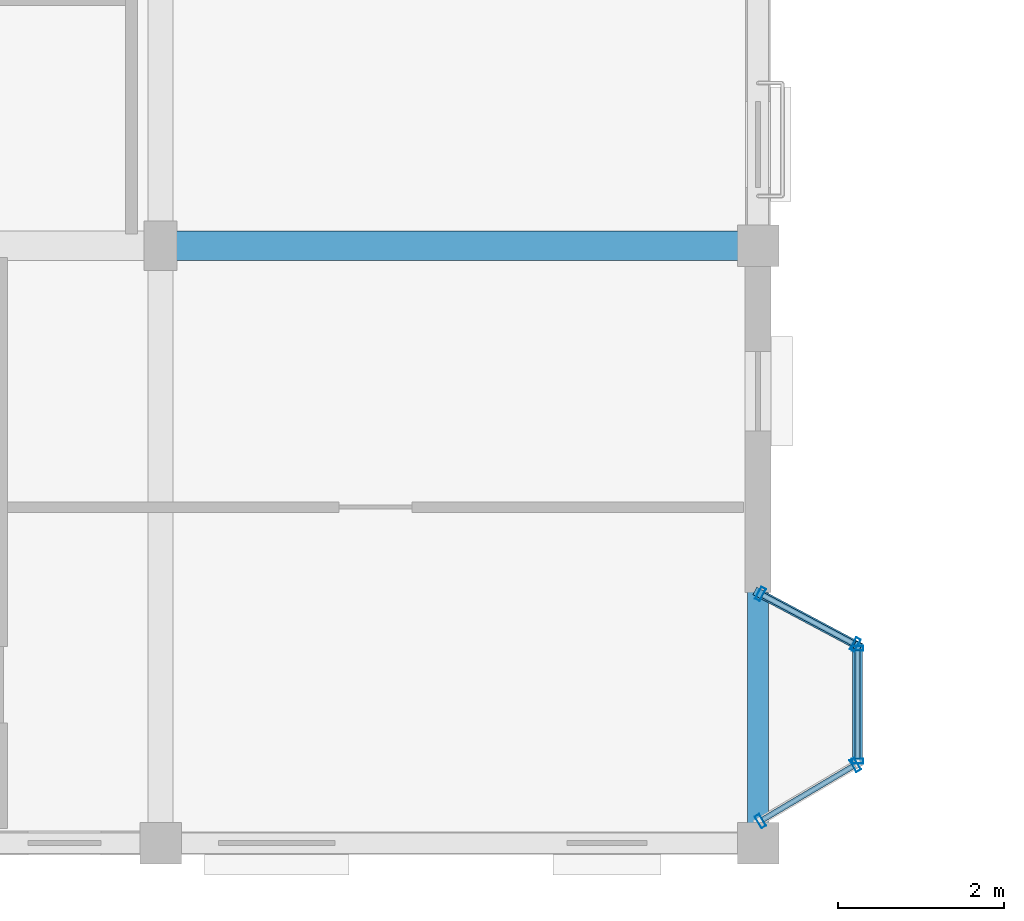
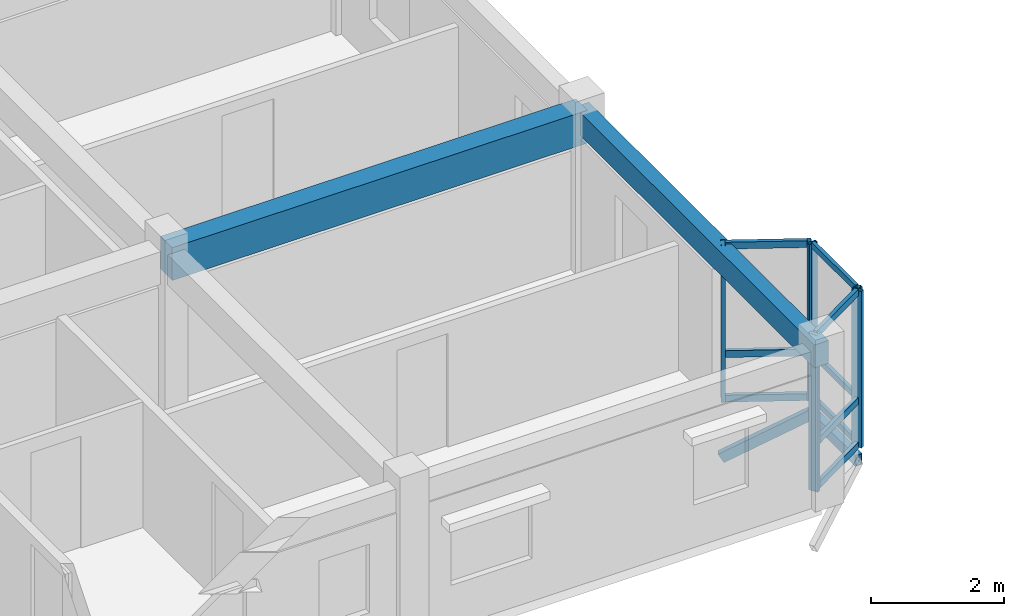
# One storey, part 7 of 64: 17 members, 2 beams, 3 elements without a shape of their own.
"""IFC4 building model written with IfcOpenShell, lengths in metres."""

from ifc_helpers import new_model, si_unit, direction, frame, origin, origin_2d, place, context, subcontext, project, spatial, rectangle, hollow_rectangle, extrude, material, layer, layer_set, material_profile, profile_set, type_object, element, aggregate, save


model = new_model("IFC4")

# Units and contexts
model_context = context("Model", 3, precision=1e-05, world=origin(), true_north=direction((0.0, 1.0)))
body_context = subcontext(model_context, "Body", "Model", "MODEL_VIEW")
ifc_project = project(units=[si_unit("LENGTHUNIT", "METRE"), si_unit("AREAUNIT", "SQUARE_METRE"), si_unit("VOLUMEUNIT", "CUBIC_METRE"), si_unit("PLANEANGLEUNIT", "RADIAN"), si_unit("MASSUNIT", "GRAM", prefix="KILO"), si_unit("THERMODYNAMICTEMPERATUREUNIT", "KELVIN"), si_unit("POWERUNIT", "WATT")], contexts=[model_context])

# Site, building, storey
site_placement = place(None, origin())
site = spatial("IfcSite", under=ifc_project, at=site_placement, CompositionType="ELEMENT")
building_placement = place(site_placement, origin())
building = spatial("IfcBuilding", under=site, at=building_placement, Name="Tavuni Mirador Residences", CompositionType="ELEMENT")
storey_placement = place(building_placement, frame((0.0, 0.0, 26.550048828125)))
storey = spatial("IfcBuildingStorey", under=building, at=storey_placement, Name="L08", CompositionType="ELEMENT", Elevation=26.550048828125)

# Beams
ifc_material_1 = material(Name="Precast concrete C40/50", Category="concrete")
ifc_material_profile_1 = material_profile(ifc_material_1, rectangle(XDim=0.35009765625, YDim=0.60009765625, at=origin_2d()), Name="PC 350x600", Category="concrete")
ifc_profile_set_1 = profile_set([ifc_material_profile_1], Name="Precast concrete C40/50")
beam_type_1 = type_object("IfcBeamType", Name="BT-B600", PredefinedType="BEAM", material=ifc_profile_set_1)
beam_1_placement = place(storey_placement, frame((25.199951171875, 14.39990234375, 2.570068359375), z_axis=(1.0, 0.0, 0.0), x_axis=(0.0, 1.0, 0.0)))
element("IfcBeam", 1, at=beam_1_placement, inside=storey, type_object=beam_type_1, Name="BMX-BLK-A-L08-03-01", PredefinedType="BEAM", context=body_context, shape_type="SweptSolid", body=[
    extrude(rectangle(XDim=0.35009765625, YDim=0.60009765625, at=origin_2d()), origin(), (0.0, 0.0, 1.0), 7.199951171875),
])
ifc_material_profile_2 = material_profile(ifc_material_1, rectangle(XDim=0.25, YDim=0.419921875, at=origin_2d()), Name="PC 250x420", Category="concrete")
ifc_profile_set_2 = profile_set([ifc_material_profile_2], Name="Precast concrete C40/50")
beam_type_2 = type_object("IfcBeamType", Name="BT-SP420", PredefinedType="SPANDREL", material=ifc_profile_set_2)
beam_2_placement = place(storey_placement, frame((32.39990234375, 7.199951171875, 2.659912109375), z_axis=(0.0, 1.0, 0.0), x_axis=(-1.0, 0.0, 0.0)))
element("IfcBeam", 2, at=beam_2_placement, inside=storey, type_object=beam_type_2, Name="BMY-BLK-A-L08-04-00", PredefinedType="SPANDREL", context=body_context, shape_type="SweptSolid", body=[
    extrude(rectangle(XDim=0.25, YDim=0.419921875, at=origin_2d()), origin(), (0.0, 0.0, 1.0), 7.199951171875),
])

# Curtain wall, members
ifc_material_2 = material(Name="Anodised aluminium", Category="aluminium")
ifc_layer_1 = layer(ifc_material_2, 0.175048828125, Name="Anodised aluminium", Category="aluminium")
ifc_layer_set_1 = layer_set([ifc_layer_1], Name="Anodised aluminium")
curtain_wall_type_1 = type_object("IfcCurtainWallType", Name="CWT-MIR-C", PredefinedType="NOTDEFINED", material=ifc_layer_set_1)
curtain_wall_1_placement = place(storey_placement, origin())
curtain_wall_1 = element("IfcCurtainWall", 3, at=curtain_wall_1_placement, inside=storey, type_object=curtain_wall_type_1, Name="CW-MIR-A-E1-L08-MF", PredefinedType="NOTDEFINED")
ifc_material_profile_3 = material_profile(ifc_material_2, hollow_rectangle(XDim=0.06005859375, YDim=0.139892578125, WallThickness=0.00390625, at=origin_2d()), Name="ALU 60x140x4.0", Category="aluminium")
ifc_profile_set_3 = profile_set([ifc_material_profile_3], Name="Anodised aluminium")
member_type_1 = type_object("IfcMemberType", Name="CWM-140", PredefinedType="MULLION", material=ifc_profile_set_3)
member_1_placement = place(storey_placement, frame((33.60009765625, 8.18994140625, 0.0), z_axis=(0.0, 0.0, 1.0), x_axis=(0.0, 1.0, 0.0)))
member_1 = element("IfcMember", 4, at=member_1_placement, type_object=member_type_1, Name="CW-03 mullion 1", PredefinedType="MULLION", context=body_context, shape_type="SweptSolid", body=[
    extrude(hollow_rectangle(XDim=0.06005859375, YDim=0.139892578125, WallThickness=0.00390625, at=origin_2d()), origin(), (0.0, 0.0, 1.0), 2.869873046875),
])
member_2_placement = place(storey_placement, frame((33.60009765625, 9.550048828125, 0.0), z_axis=(0.0, 0.0, 1.0), x_axis=(0.0, 1.0, 0.0)))
member_2 = element("IfcMember", 5, at=member_2_placement, type_object=member_type_1, Name="CW-03 mullion 2", PredefinedType="MULLION", context=body_context, shape_type="SweptSolid", body=[
    extrude(hollow_rectangle(XDim=0.06005859375, YDim=0.139892578125, WallThickness=0.00390625, at=origin_2d()), origin(), (0.0, 0.0, 1.0), 2.869873046875),
])

ifc_layer_2 = layer(ifc_material_2, 0.14990234375, Name="Anodised aluminium", Category="aluminium")
ifc_layer_set_2 = layer_set([ifc_layer_2], Name="Anodised aluminium")
curtain_wall_type_2 = type_object("IfcCurtainWallType", Name="CWT-MIR-B", PredefinedType="NOTDEFINED", material=ifc_layer_set_2)
curtain_wall_2_placement = place(storey_placement, origin())
curtain_wall_2 = element("IfcCurtainWall", 6, at=curtain_wall_2_placement, inside=storey, type_object=curtain_wall_type_2, Name="CW-MIR-A-E1-L08-M1", PredefinedType="NOTDEFINED")
ifc_material_profile_4 = material_profile(ifc_material_2, hollow_rectangle(XDim=0.06494140625, YDim=0.1650390625, WallThickness=0.00439453125, at=origin_2d()), Name="ALU 65x165x4.5", Category="aluminium")
ifc_profile_set_4 = profile_set([ifc_material_profile_4], Name="Anodised aluminium")
member_type_2 = type_object("IfcMemberType", Name="CWM-165", PredefinedType="MULLION", material=ifc_profile_set_4)
member_3_placement = place(storey_placement, frame((32.427978515625, 7.466552734375, 0.0), z_axis=(0.0, 0.0, 1.0), x_axis=(0.860640830284, 0.509212491254, 0.0)))
member_3 = element("IfcMember", 7, at=member_3_placement, type_object=member_type_2, Name="CW-02 mullion 1", PredefinedType="MULLION", context=body_context, shape_type="SweptSolid", body=[
    extrude(hollow_rectangle(XDim=0.06494140625, YDim=0.1650390625, WallThickness=0.00439453125, at=origin_2d()), origin(), (0.0, 0.0, 1.0), 2.869873046875),
])
member_4_placement = place(storey_placement, frame((33.572021484375, 8.1435546875, 0.0), z_axis=(0.0, 0.0, 1.0), x_axis=(0.860640830284, 0.509212491254, 0.0)))
member_4 = element("IfcMember", 8, at=member_4_placement, type_object=member_type_2, Name="CW-02 mullion 2", PredefinedType="MULLION", context=body_context, shape_type="SweptSolid", body=[
    extrude(hollow_rectangle(XDim=0.06494140625, YDim=0.1650390625, WallThickness=0.00439453125, at=origin_2d()), origin(), (0.0, 0.0, 1.0), 2.869873046875),
])

ifc_layer_3 = layer(ifc_material_2, 0.159912109375, Name="Anodised aluminium", Category="aluminium")
ifc_layer_set_3 = layer_set([ifc_layer_3], Name="Anodised aluminium")
curtain_wall_type_3 = type_object("IfcCurtainWallType", Name="CWT-MIR-D", PredefinedType="NOTDEFINED", material=ifc_layer_set_3)
curtain_wall_3_placement = place(storey_placement, origin())
curtain_wall_3 = element("IfcCurtainWall", 9, at=curtain_wall_3_placement, inside=storey, type_object=curtain_wall_type_3, Name="CW-MIR-A-E1-L08-M2", PredefinedType="NOTDEFINED")
member_5_placement = place(storey_placement, frame((33.5712890625, 9.59521484375, 0.0), z_axis=(0.0, 0.0, 1.0), x_axis=(-0.882352941175, 0.470588235296, 0.0)))
member_5 = element("IfcMember", 10, at=member_5_placement, type_object=member_type_2, Name="CW-04 mullion 1", PredefinedType="MULLION", context=body_context, shape_type="SweptSolid", body=[
    extrude(hollow_rectangle(XDim=0.06494140625, YDim=0.1650390625, WallThickness=0.00439453125, at=origin_2d()), origin(), (0.0, 0.0, 1.0), 2.869873046875),
])
member_6_placement = place(storey_placement, frame((32.4287109375, 10.20458984375, 0.0), z_axis=(0.0, 0.0, 1.0), x_axis=(-0.882352941175, 0.470588235296, 0.0)))
member_6 = element("IfcMember", 11, at=member_6_placement, type_object=member_type_2, Name="CW-04 mullion 2", PredefinedType="MULLION", context=body_context, shape_type="SweptSolid", body=[
    extrude(hollow_rectangle(XDim=0.06494140625, YDim=0.1650390625, WallThickness=0.00439453125, at=origin_2d()), origin(), (0.0, 0.0, 1.0), 2.869873046875),
])

# Member
ifc_material_profile_5 = material_profile(ifc_material_2, hollow_rectangle(XDim=0.06005859375, YDim=0.110107421875, WallThickness=0.00390625, at=origin_2d()), Name="ALU 60x110x4.0", Category="aluminium")
ifc_profile_set_5 = profile_set([ifc_material_profile_5], Name="Anodised aluminium")
member_type_3 = type_object("IfcMemberType", Name="CWT-110", PredefinedType="USERDEFINED", material=ifc_profile_set_5)
member_7_placement = place(storey_placement, frame((33.60009765625, 8.219970703125, 0.030029296875), z_axis=(0.0, 1.0, 0.0), x_axis=(-1.0, 0.0, 0.0)))
member_7 = element("IfcMember", 12, at=member_7_placement, type_object=member_type_3, Name="CW-03 transom 1.1", ObjectType="TRANSOM", PredefinedType="USERDEFINED", context=body_context, shape_type="SweptSolid", body=[
    extrude(hollow_rectangle(XDim=0.06005859375, YDim=0.110107421875, WallThickness=0.00390625, at=origin_2d()), origin(), (0.0, 0.0, 1.0), 1.300048828125),
])

member_8_placement = place(storey_placement, frame((33.60009765625, 8.219970703125, 0.849853515625), z_axis=(0.0, 1.0, 0.0), x_axis=(-1.0, 0.0, 0.0)))
member_8 = element("IfcMember", 13, at=member_8_placement, type_object=member_type_3, Name="CW-03 transom 1.2", ObjectType="TRANSOM", PredefinedType="USERDEFINED", context=body_context, shape_type="SweptSolid", body=[
    extrude(hollow_rectangle(XDim=0.06005859375, YDim=0.110107421875, WallThickness=0.00390625, at=origin_2d()), origin(), (0.0, 0.0, 1.0), 1.300048828125),
])

member_9_placement = place(storey_placement, frame((33.60009765625, 8.219970703125, 2.83984375), z_axis=(0.0, 1.0, 0.0), x_axis=(-1.0, 0.0, 0.0)))
member_9 = element("IfcMember", 14, at=member_9_placement, type_object=member_type_3, Name="CW-03 transom 1.3", ObjectType="TRANSOM", PredefinedType="USERDEFINED", context=body_context, shape_type="SweptSolid", body=[
    extrude(hollow_rectangle(XDim=0.06005859375, YDim=0.110107421875, WallThickness=0.00390625, at=origin_2d()), origin(), (0.0, 0.0, 1.0), 1.300048828125),
])

aggregate(curtain_wall_1, [member_1, member_2, member_7, member_8, member_9])

ifc_material_profile_6 = material_profile(ifc_material_2, hollow_rectangle(XDim=0.06494140625, YDim=0.125, WallThickness=0.00439453125, at=origin_2d()), Name="ALU 65x125x4.5", Category="aluminium")
ifc_profile_set_6 = profile_set([ifc_material_profile_6], Name="Anodised aluminium")
member_type_4 = type_object("IfcMemberType", Name="CWT-125", PredefinedType="USERDEFINED", material=ifc_profile_set_6)
member_10_placement = place(storey_placement, frame((32.4560546875, 7.483154296875, 0.032470703125), z_axis=(0.86059568564, 0.509288784343, 0.0), x_axis=(-0.509288784343, 0.86059568564, 0.0)))
member_10 = element("IfcMember", 15, at=member_10_placement, type_object=member_type_4, Name="CW-02 transom 1.1", ObjectType="TRANSOM", PredefinedType="USERDEFINED", context=body_context, shape_type="SweptSolid", body=[
    extrude(hollow_rectangle(XDim=0.06494140625, YDim=0.125, WallThickness=0.00439453125, at=origin_2d()), origin(), (0.0, 0.0, 1.0), 1.26416015625),
])

member_11_placement = place(storey_placement, frame((32.4560546875, 7.483154296875, 0.849853515625), z_axis=(0.86059568564, 0.509288784343, 0.0), x_axis=(-0.509288784343, 0.86059568564, 0.0)))
member_11 = element("IfcMember", 16, at=member_11_placement, type_object=member_type_4, Name="CW-02 transom 1.2", ObjectType="TRANSOM", PredefinedType="USERDEFINED", context=body_context, shape_type="SweptSolid", body=[
    extrude(hollow_rectangle(XDim=0.06494140625, YDim=0.125, WallThickness=0.00439453125, at=origin_2d()), origin(), (0.0, 0.0, 1.0), 1.26416015625),
])

member_12_placement = place(storey_placement, frame((32.4560546875, 7.483154296875, 2.83740234375), z_axis=(0.86059568564, 0.509288784343, 0.0), x_axis=(-0.509288784343, 0.86059568564, 0.0)))
member_12 = element("IfcMember", 17, at=member_12_placement, type_object=member_type_4, Name="CW-02 transom 1.3", ObjectType="TRANSOM", PredefinedType="USERDEFINED", context=body_context, shape_type="SweptSolid", body=[
    extrude(hollow_rectangle(XDim=0.06494140625, YDim=0.125, WallThickness=0.00439453125, at=origin_2d()), origin(), (0.0, 0.0, 1.0), 1.26416015625),
])

aggregate(curtain_wall_2, [member_3, member_4, member_10, member_11, member_12])

member_13_placement = place(storey_placement, frame((33.542724609375, 9.610595703125, 0.032470703125), z_axis=(-0.882369422046, 0.47055733236, 0.0), x_axis=(-0.47055733236, -0.882369422046, 0.0)))
member_13 = element("IfcMember", 18, at=member_13_placement, type_object=member_type_4, Name="CW-04 transom 1.1", ObjectType="TRANSOM", PredefinedType="USERDEFINED", context=body_context, shape_type="SweptSolid", body=[
    extrude(hollow_rectangle(XDim=0.06494140625, YDim=0.125, WallThickness=0.00439453125, at=origin_2d()), origin(), (0.0, 0.0, 1.0), 1.230224609375),
])

member_14_placement = place(storey_placement, frame((33.542724609375, 9.610595703125, 0.849853515625), z_axis=(-0.882369422046, 0.47055733236, 0.0), x_axis=(-0.47055733236, -0.882369422046, 0.0)))
member_14 = element("IfcMember", 19, at=member_14_placement, type_object=member_type_4, Name="CW-04 transom 1.2", ObjectType="TRANSOM", PredefinedType="USERDEFINED", context=body_context, shape_type="SweptSolid", body=[
    extrude(hollow_rectangle(XDim=0.06494140625, YDim=0.125, WallThickness=0.00439453125, at=origin_2d()), origin(), (0.0, 0.0, 1.0), 1.230224609375),
])

member_15_placement = place(storey_placement, frame((33.542724609375, 9.610595703125, 2.83740234375), z_axis=(-0.882369422046, 0.47055733236, 0.0), x_axis=(-0.47055733236, -0.882369422046, 0.0)))
member_15 = element("IfcMember", 20, at=member_15_placement, type_object=member_type_4, Name="CW-04 transom 1.3", ObjectType="TRANSOM", PredefinedType="USERDEFINED", context=body_context, shape_type="SweptSolid", body=[
    extrude(hollow_rectangle(XDim=0.06494140625, YDim=0.125, WallThickness=0.00439453125, at=origin_2d()), origin(), (0.0, 0.0, 1.0), 1.230224609375),
])

aggregate(curtain_wall_3, [member_5, member_6, member_13, member_14, member_15])

# Members
ifc_material_3 = material(Name="Structural steel S355", Category="steel")
ifc_material_profile_7 = material_profile(ifc_material_3, hollow_rectangle(XDim=0.10009765625, YDim=0.179931640625, WallThickness=0.008056640625, at=origin_2d()), Name="RHS 180x100x8.0", Category="steel")
ifc_profile_set_7 = profile_set([ifc_material_profile_7], Name="Structural steel S355")
member_type_5 = type_object("IfcMemberType", Name="MT-BR-RHS180", PredefinedType="BRACE", material=ifc_profile_set_7)
member_16_placement = place(storey_placement, frame((32.39990234375, 10.219970703125, -1.050048828125), z_axis=(0.767896193149, -0.409409260017, 0.492665702439), x_axis=(0.470467115558, 0.882417527692, 0.0)))
element("IfcMember", 21, at=member_16_placement, inside=storey, type_object=member_type_5, Name="MBRK-MIR-A-E1-L08-2", PredefinedType="BRACE", context=body_context, shape_type="SweptSolid", body=[
    extrude(hollow_rectangle(XDim=0.10009765625, YDim=0.179931640625, WallThickness=0.008056640625, at=origin_2d()), origin(), (0.0, 0.0, 1.0), 1.56298828125),
])
ifc_material_profile_8 = material_profile(ifc_material_3, hollow_rectangle(XDim=0.1201171875, YDim=0.199951171875, WallThickness=0.010009765625, at=origin_2d()), Name="RHS 200x120x10.0", Category="steel")
ifc_profile_set_8 = profile_set([ifc_material_profile_8], Name="Structural steel S355")
member_type_6 = type_object("IfcMemberType", Name="MT-ST-RHS200", PredefinedType="STRUT", material=ifc_profile_set_8)
member_17_placement = place(storey_placement, frame((33.60009765625, 8.159912109375, -0.280029296875), z_axis=(0.0, 1.0, 0.0), x_axis=(-1.0, 0.0, 0.0)))
element("IfcMember", 22, at=member_17_placement, inside=storey, type_object=member_type_6, Name="MRIM-MIR-A-E1-L08", PredefinedType="STRUT", context=body_context, shape_type="SweptSolid", body=[
    extrude(hollow_rectangle(XDim=0.1201171875, YDim=0.199951171875, WallThickness=0.010009765625, at=origin_2d()), origin(), (0.0, 0.0, 1.0), 1.420166015625),
])

save(model, "model.ifc")
